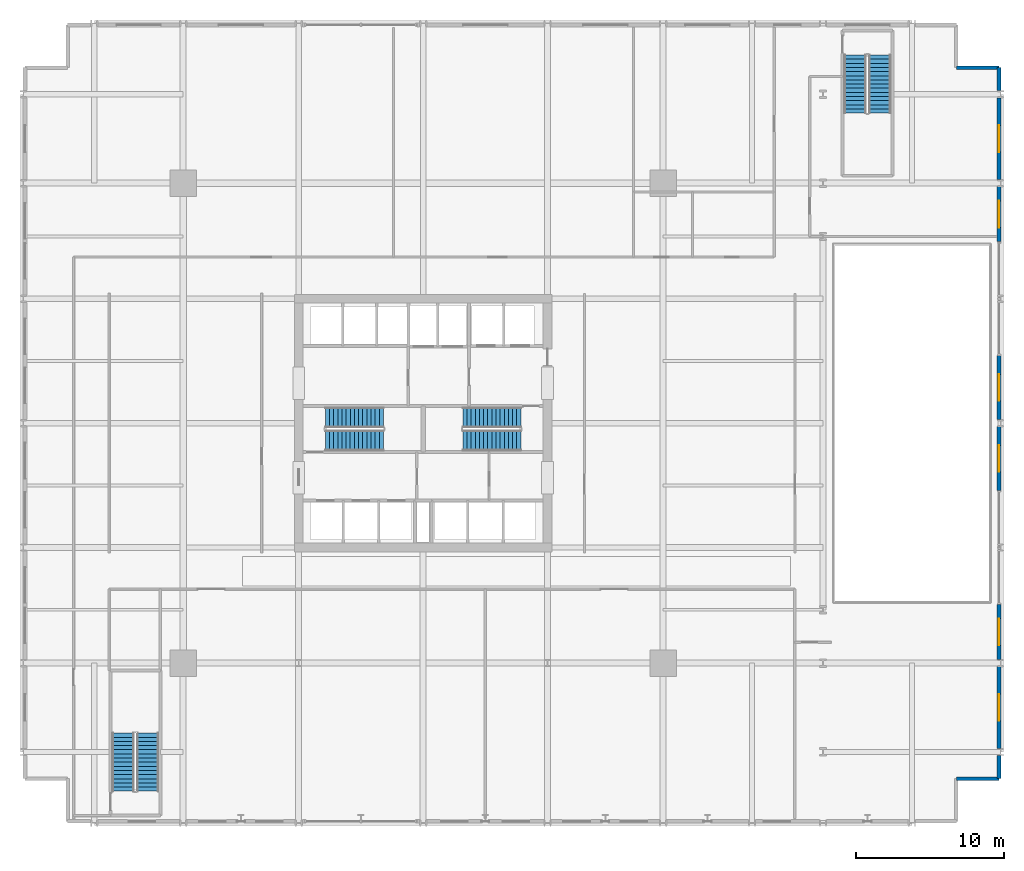
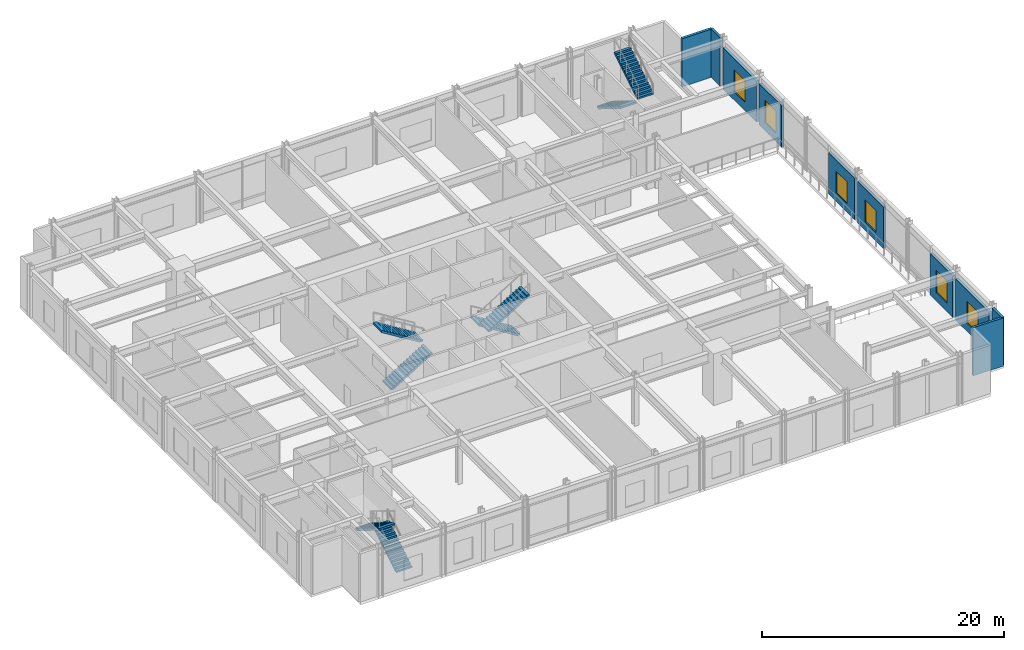
# One storey, part 14 of 20: 10 walls, 8 stair flights, 6 windows, 6 openings, 4 elements without a shape of their own.
"""IFC4 building model written with IfcOpenShell, lengths in metres."""

from ifc_helpers import new_model, si_unit, direction, frame, frame_2d, origin, place, context, subcontext, project, spatial, polyline, rectangle, outline, extrude, material, layer, layer_set, type_object, element, fill, aggregate, save


model = new_model("IFC4")

# Units and contexts
model_context = context("Model", 3, precision=1e-05, world=origin(), true_north=direction((0.0, 1.0)))
body_context = subcontext(model_context, "Body", "Model", "MODEL_VIEW")
ifc_project = project(units=[si_unit("LENGTHUNIT", "METRE"), si_unit("AREAUNIT", "SQUARE_METRE"), si_unit("VOLUMEUNIT", "CUBIC_METRE"), si_unit("PLANEANGLEUNIT", "RADIAN"), si_unit("MASSUNIT", "GRAM", prefix="KILO")], contexts=[model_context])

# Site, building, storey
site_placement = place(None, origin())
site = spatial("IfcSite", under=ifc_project, at=site_placement, CompositionType="ELEMENT")
building_placement = place(site_placement, origin())
building = spatial("IfcBuilding", under=site, at=building_placement, Name="Drelvath Grand Hotel", CompositionType="ELEMENT")
storey_placement = place(building_placement, frame((0.0, 0.0, 5.60009765625)))
storey = spatial("IfcBuildingStorey", under=building, at=storey_placement, Name="L01", CompositionType="ELEMENT", Elevation=5.60009765625)

# Wall
ifc_material_1 = material(Name="Insulated Granite Rainscreen Assembly", Category="masonry")
ifc_layer = layer(ifc_material_1, 0.239990234375)
ifc_layer_set = layer_set([ifc_layer], Name="Insulated Granite Rainscreen Assembly")
wall_type = type_object("IfcWallType", Name="Podium Granite Rainscreen Exterior Wall 240", PredefinedType="STANDARD", material=ifc_layer_set)
wall_1_placement = place(storey_placement, frame((38.8798828125, 4.55908203125, 0.0), z_axis=(0.0, 0.0, 1.0), x_axis=(0.0, -1.0, 0.0)))
element("IfcWall", 1, at=wall_1_placement, inside=storey, type_object=wall_type, Name="L01 East Podium Granite Wall 1", PredefinedType="STANDARD", context=body_context, shape_type="SweptSolid", body=[
    extrude(rectangle(XDim=1.55908203125, YDim=0.239990234375, at=frame_2d((0.779541015625, 0.0))), origin(), (0.0, 0.0, 1.0), 4.849853515625),
])

# Wall, opening, window
wall_2_placement = place(storey_placement, frame((38.8798828125, 10.55908203125, 0.0), z_axis=(0.0, 0.0, 1.0), x_axis=(0.0, -1.0, 0.0)))
wall_2 = element("IfcWall", 2, at=wall_2_placement, inside=storey, type_object=wall_type, Name="L01 East Podium Granite Wall 2", PredefinedType="STANDARD", context=body_context, shape_type="SweptSolid", body=[
    extrude(rectangle(XDim=5.51806640625, YDim=0.239990234375, at=frame_2d((2.759033203125, 0.0))), origin(), (0.0, 0.0, 1.0), 4.154296875),
])
opening_1_placement = place(wall_2_placement, frame((1.859130859375, 0.0, 0.85009765625)))
opening_1 = element("IfcOpeningElement", 3, at=opening_1_placement, cuts=wall_2, Name="Opening W-02", PredefinedType="OPENING", context=body_context, shape_type="SweptSolid", body=[
    extrude(rectangle(XDim=1.800048828125, YDim=2.199951171875, at=frame_2d((0.89990234375, 1.10009765625))), frame((0.0, 0.1298828125, 0.0), z_axis=(0.0, -1.0, 0.0), x_axis=(1.0, 0.0, 0.0)), (0.0, 0.0, 1.0), 0.260009765625),
])
ifc_material_2 = material(Name="Bronze Anodised Low-E Triple Glazing", Category="glass")
window_type = type_object("IfcWindowType", Name="Chicago Double-Pane Podium Window 1800x2400", PartitioningType="DOUBLE_PANEL_VERTICAL", PredefinedType="WINDOW", material=ifc_material_2)
window_1_placement = place(opening_1_placement, origin())
window_1 = element("IfcWindow", 4, at=window_1_placement, inside=storey, type_object=window_type, Name="L01 East Podium Window 2", OverallHeight=2.199951171875, OverallWidth=1.800048828125, PartitioningType="SINGLE_PANEL", PredefinedType="WINDOW", context=body_context, shape_type="SweptSolid", body=[
    extrude(rectangle(XDim=1.800048828125, YDim=2.199951171875, at=frame_2d((0.89990234375, 1.10009765625))), frame((0.0, 0.030029296875, 0.0), z_axis=(0.0, -1.0, 0.0), x_axis=(1.0, 0.0, 0.0)), (0.0, 0.0, 1.0), 0.06005859375),
])
fill(opening_1, window_1)

wall_3_placement = place(storey_placement, frame((38.8798828125, 14.75, 0.0), z_axis=(0.0, 0.0, 1.0), x_axis=(0.0, -1.0, 0.0)))
wall_3 = element("IfcWall", 5, at=wall_3_placement, inside=storey, type_object=wall_type, Name="L01 East Podium Granite Wall 3", PredefinedType="STANDARD", context=body_context, shape_type="SweptSolid", body=[
    extrude(rectangle(XDim=3.708984375, YDim=0.239990234375, at=frame_2d((1.8544921875, 0.0))), origin(), (0.0, 0.0, 1.0), 4.154296875),
])
opening_2_placement = place(wall_3_placement, frame((0.95458984375, 0.0, 0.85009765625)))
opening_2 = element("IfcOpeningElement", 6, at=opening_2_placement, cuts=wall_3, Name="Opening W-02", PredefinedType="OPENING", context=body_context, shape_type="SweptSolid", body=[
    extrude(rectangle(XDim=1.800048828125, YDim=2.199951171875, at=frame_2d((0.89990234375, 1.10009765625))), frame((0.0, 0.1298828125, 0.0), z_axis=(0.0, -1.0, 0.0), x_axis=(1.0, 0.0, 0.0)), (0.0, 0.0, 1.0), 0.260009765625),
])
window_2_placement = place(opening_2_placement, origin())
window_2 = element("IfcWindow", 7, at=window_2_placement, inside=storey, type_object=window_type, Name="L01 East Podium Window 3", OverallHeight=2.199951171875, OverallWidth=1.800048828125, PartitioningType="SINGLE_PANEL", PredefinedType="WINDOW", context=body_context, shape_type="SweptSolid", body=[
    extrude(rectangle(XDim=1.800048828125, YDim=2.199951171875, at=frame_2d((0.89990234375, 1.10009765625))), frame((0.0, 0.030029296875, 0.0), z_axis=(0.0, -1.0, 0.0), x_axis=(1.0, 0.0, 0.0)), (0.0, 0.0, 1.0), 0.06005859375),
])
fill(opening_2, window_2)

wall_4_placement = place(storey_placement, frame((38.8798828125, 26.759033203125, 0.0), z_axis=(0.0, 0.0, 1.0), x_axis=(0.0, -1.0, 0.0)))
wall_4 = element("IfcWall", 8, at=wall_4_placement, inside=storey, type_object=wall_type, Name="L01 East Podium Granite Wall 4", PredefinedType="STANDARD", context=body_context, shape_type="SweptSolid", body=[
    extrude(rectangle(XDim=4.30908203125, YDim=0.239990234375, at=frame_2d((2.154541015625, 0.0))), origin(), (0.0, 0.0, 1.0), 4.154296875),
])
opening_3_placement = place(wall_4_placement, frame((1.254638671875, 0.0, 0.85009765625)))
opening_3 = element("IfcOpeningElement", 9, at=opening_3_placement, cuts=wall_4, Name="Opening W-02", PredefinedType="OPENING", context=body_context, shape_type="SweptSolid", body=[
    extrude(rectangle(XDim=1.800048828125, YDim=2.199951171875, at=frame_2d((0.89990234375, 1.10009765625))), frame((0.0, 0.1298828125, 0.0), z_axis=(0.0, -1.0, 0.0), x_axis=(1.0, 0.0, 0.0)), (0.0, 0.0, 1.0), 0.260009765625),
])
window_3_placement = place(opening_3_placement, origin())
window_3 = element("IfcWindow", 10, at=window_3_placement, inside=storey, type_object=window_type, Name="L01 East Podium Window 4", OverallHeight=2.199951171875, OverallWidth=1.800048828125, PartitioningType="SINGLE_PANEL", PredefinedType="WINDOW", context=body_context, shape_type="SweptSolid", body=[
    extrude(rectangle(XDim=1.800048828125, YDim=2.199951171875, at=frame_2d((0.89990234375, 1.10009765625))), frame((0.0, 0.030029296875, 0.0), z_axis=(0.0, -1.0, 0.0), x_axis=(1.0, 0.0, 0.0)), (0.0, 0.0, 1.0), 0.06005859375),
])
fill(opening_3, window_3)

wall_5_placement = place(storey_placement, frame((38.8798828125, 31.550048828125, 0.0), z_axis=(0.0, 0.0, 1.0), x_axis=(0.0, -1.0, 0.0)))
wall_5 = element("IfcWall", 11, at=wall_5_placement, inside=storey, type_object=wall_type, Name="L01 East Podium Granite Wall 5", PredefinedType="STANDARD", context=body_context, shape_type="SweptSolid", body=[
    extrude(rectangle(XDim=4.30908203125, YDim=0.239990234375, at=frame_2d((2.154541015625, 0.0))), origin(), (0.0, 0.0, 1.0), 4.154296875),
])
opening_4_placement = place(wall_5_placement, frame((1.254638671875, 0.0, 0.85009765625)))
opening_4 = element("IfcOpeningElement", 12, at=opening_4_placement, cuts=wall_5, Name="Opening W-02", PredefinedType="OPENING", context=body_context, shape_type="SweptSolid", body=[
    extrude(rectangle(XDim=1.800048828125, YDim=2.199951171875, at=frame_2d((0.89990234375, 1.10009765625))), frame((0.0, 0.1298828125, 0.0), z_axis=(0.0, -1.0, 0.0), x_axis=(1.0, 0.0, 0.0)), (0.0, 0.0, 1.0), 0.260009765625),
])
window_4_placement = place(opening_4_placement, origin())
window_4 = element("IfcWindow", 13, at=window_4_placement, inside=storey, type_object=window_type, Name="L01 East Podium Window 5", OverallHeight=2.199951171875, OverallWidth=1.800048828125, PartitioningType="SINGLE_PANEL", PredefinedType="WINDOW", context=body_context, shape_type="SweptSolid", body=[
    extrude(rectangle(XDim=1.800048828125, YDim=2.199951171875, at=frame_2d((0.89990234375, 1.10009765625))), frame((0.0, 0.030029296875, 0.0), z_axis=(0.0, -1.0, 0.0), x_axis=(1.0, 0.0, 0.0)), (0.0, 0.0, 1.0), 0.06005859375),
])
fill(opening_4, window_4)

wall_6_placement = place(storey_placement, frame((38.8798828125, 42.958984375, 0.0), z_axis=(0.0, 0.0, 1.0), x_axis=(0.0, -1.0, 0.0)))
wall_6 = element("IfcWall", 14, at=wall_6_placement, inside=storey, type_object=wall_type, Name="L01 East Podium Granite Wall 6", PredefinedType="STANDARD", context=body_context, shape_type="SweptSolid", body=[
    extrude(rectangle(XDim=3.708984375, YDim=0.239990234375, at=frame_2d((1.8544921875, 0.0))), origin(), (0.0, 0.0, 1.0), 4.154296875),
])
opening_5_placement = place(wall_6_placement, frame((0.95458984375, 0.0, 0.85009765625)))
opening_5 = element("IfcOpeningElement", 15, at=opening_5_placement, cuts=wall_6, Name="Opening W-02", PredefinedType="OPENING", context=body_context, shape_type="SweptSolid", body=[
    extrude(rectangle(XDim=1.800048828125, YDim=2.199951171875, at=frame_2d((0.89990234375, 1.10009765625))), frame((0.0, 0.1298828125, 0.0), z_axis=(0.0, -1.0, 0.0), x_axis=(1.0, 0.0, 0.0)), (0.0, 0.0, 1.0), 0.260009765625),
])
window_5_placement = place(opening_5_placement, origin())
window_5 = element("IfcWindow", 16, at=window_5_placement, inside=storey, type_object=window_type, Name="L01 East Podium Window 6", OverallHeight=2.199951171875, OverallWidth=1.800048828125, PartitioningType="SINGLE_PANEL", PredefinedType="WINDOW", context=body_context, shape_type="SweptSolid", body=[
    extrude(rectangle(XDim=1.800048828125, YDim=2.199951171875, at=frame_2d((0.89990234375, 1.10009765625))), frame((0.0, 0.030029296875, 0.0), z_axis=(0.0, -1.0, 0.0), x_axis=(1.0, 0.0, 0.0)), (0.0, 0.0, 1.0), 0.06005859375),
])
fill(opening_5, window_5)

wall_7_placement = place(storey_placement, frame((38.8798828125, 48.958984375, 0.0), z_axis=(0.0, 0.0, 1.0), x_axis=(0.0, -1.0, 0.0)))
wall_7 = element("IfcWall", 17, at=wall_7_placement, inside=storey, type_object=wall_type, Name="L01 East Podium Granite Wall 7", PredefinedType="STANDARD", context=body_context, shape_type="SweptSolid", body=[
    extrude(rectangle(XDim=5.51806640625, YDim=0.239990234375, at=frame_2d((2.759033203125, 0.0))), origin(), (0.0, 0.0, 1.0), 4.154296875),
])
opening_6_placement = place(wall_7_placement, frame((1.859130859375, 0.0, 0.85009765625)))
opening_6 = element("IfcOpeningElement", 18, at=opening_6_placement, cuts=wall_7, Name="Opening W-02", PredefinedType="OPENING", context=body_context, shape_type="SweptSolid", body=[
    extrude(rectangle(XDim=1.800048828125, YDim=2.199951171875, at=frame_2d((0.89990234375, 1.10009765625))), frame((0.0, 0.1298828125, 0.0), z_axis=(0.0, -1.0, 0.0), x_axis=(1.0, 0.0, 0.0)), (0.0, 0.0, 1.0), 0.260009765625),
])
window_6_placement = place(opening_6_placement, origin())
window_6 = element("IfcWindow", 19, at=window_6_placement, inside=storey, type_object=window_type, Name="L01 East Podium Window 7", OverallHeight=2.199951171875, OverallWidth=1.800048828125, PartitioningType="SINGLE_PANEL", PredefinedType="WINDOW", context=body_context, shape_type="SweptSolid", body=[
    extrude(rectangle(XDim=1.800048828125, YDim=2.199951171875, at=frame_2d((0.89990234375, 1.10009765625))), frame((0.0, 0.030029296875, 0.0), z_axis=(0.0, -1.0, 0.0), x_axis=(1.0, 0.0, 0.0)), (0.0, 0.0, 1.0), 0.06005859375),
])
fill(opening_6, window_6)

# Walls
wall_8_placement = place(storey_placement, frame((38.8798828125, 51.0, 0.0), z_axis=(0.0, 0.0, 1.0), x_axis=(0.0, -1.0, 0.0)))
element("IfcWall", 20, at=wall_8_placement, inside=storey, type_object=wall_type, Name="L01 East Podium Granite Wall 8", PredefinedType="STANDARD", context=body_context, shape_type="SweptSolid", body=[
    extrude(rectangle(XDim=1.55908203125, YDim=0.239990234375, at=frame_2d((0.779541015625, 0.0))), origin(), (0.0, 0.0, 1.0), 4.849853515625),
])
for number, where, z_axis, x_axis, name in (
    (21, (36.0, 51.0, 0.0), (0.0, 0.0, 1.0), (1.0, 0.0, 0.0), "L01 Podium Corner Return Wall CNE2"),
    (22, (38.8798828125, 3.0, 0.0), (0.0, 0.0, 1.0), (-1.0, 0.0, 0.0), "L01 Podium Corner Return Wall CSE1"),
):
    element("IfcWall", number, at=place(storey_placement, frame(where, z_axis=z_axis, x_axis=x_axis)), inside=storey, type_object=wall_type, Name=name, PredefinedType="STANDARD", context=body_context, shape_type="SweptSolid", body=[
        extrude(rectangle(XDim=2.8798828125, YDim=0.239990234375, at=frame_2d((1.43994140625, 0.0))), origin(), (0.0, 0.0, 1.0), 4.849853515625),
    ])

# Stair, stair flights
ifc_material_3 = material(Name="Concrete C40/50", Category="concrete")
stair_type_1 = type_object("IfcStairType", Name="Dogleg Exit Stair W1400-R173.3", PredefinedType="HALF_TURN_STAIR", material=ifc_material_3)
stair_1_placement = place(storey_placement, origin())
stair_1 = element("IfcStair", 23, at=stair_1_placement, inside=storey, type_object=stair_type_1, Name="L01 Core Exit Stair ST-1", PredefinedType="HALF_TURN_STAIR")
stair_flight_type_1 = type_object("IfcStairFlightType", Name="Concrete Stair Flight W1400-R173.3", PredefinedType="STRAIGHT", material=ifc_material_3)
stair_flight_1_placement = place(storey_placement, frame((-6.60009765625, 25.820068359375, 0.0), z_axis=(0.0, 0.0, 1.0), x_axis=(1.0, 0.0, 0.0)))
stair_flight_1 = element("IfcStairFlight", 24, at=stair_flight_1_placement, type_object=stair_flight_type_1, Name="ST-1 flight 1", NumberOfRisers=15, NumberOfTreads=14, PredefinedType="STRAIGHT", RiserHeight=0.173333333, TreadLength=0.28, context=body_context, shape_type="SweptSolid", body=[
    extrude(outline(polyline([(0.0, 0.0), (0.0, 0.17333984375), (0.280029296875, 0.17333984375), (0.280029296875, 0.3466796875), (0.56005859375, 0.3466796875), (0.56005859375, 0.52001953125), (0.840087890625, 0.52001953125), (0.840087890625, 0.693359375), (1.1201171875, 0.693359375), (1.1201171875, 0.86669921875), (1.39990234375, 0.86669921875), (1.39990234375, 1.0400390625), (1.679931640625, 1.0400390625), (1.679931640625, 1.21337890625), (1.9599609375, 1.21337890625), (1.9599609375, 1.38671875), (2.239990234375, 1.38671875), (2.239990234375, 1.56005859375), (2.52001953125, 1.56005859375), (2.52001953125, 1.7333984375), (2.800048828125, 1.7333984375), (2.800048828125, 1.90673828125), (3.080078125, 1.90673828125), (3.080078125, 2.080078125), (3.360107421875, 2.080078125), (3.360107421875, 2.25341796875), (3.639892578125, 2.25341796875), (3.639892578125, 2.4267578125), (3.919921875, 2.4267578125), (3.919921875, 2.60009765625), (3.919921875, 2.238525390625), (0.3037109375, 0.0), (0.0, 0.0)])), frame((0.0, 0.699951171875, 0.0), z_axis=(0.0, -1.0, 0.0), x_axis=(1.0, 0.0, 0.0)), (0.0, 0.0, 1.0), 1.39990234375),
])
stair_flight_2_placement = place(storey_placement, frame((-2.679931640625, 27.3798828125, 2.599853515625), z_axis=(0.0, 0.0, 1.0), x_axis=(-1.0, 0.0, 0.0)))
stair_flight_2 = element("IfcStairFlight", 25, at=stair_flight_2_placement, type_object=stair_flight_type_1, Name="ST-1 flight 2", NumberOfRisers=15, NumberOfTreads=14, PredefinedType="STRAIGHT", RiserHeight=0.173333333, TreadLength=0.28, context=body_context, shape_type="SweptSolid", body=[
    extrude(outline(polyline([(0.0, 0.0), (0.0, 0.17333984375), (0.280029296875, 0.17333984375), (0.280029296875, 0.3466796875), (0.56005859375, 0.3466796875), (0.56005859375, 0.52001953125), (0.840087890625, 0.52001953125), (0.840087890625, 0.693359375), (1.1201171875, 0.693359375), (1.1201171875, 0.86669921875), (1.39990234375, 0.86669921875), (1.39990234375, 1.0400390625), (1.679931640625, 1.0400390625), (1.679931640625, 1.21337890625), (1.9599609375, 1.21337890625), (1.9599609375, 1.38671875), (2.239990234375, 1.38671875), (2.239990234375, 1.56005859375), (2.52001953125, 1.56005859375), (2.52001953125, 1.7333984375), (2.800048828125, 1.7333984375), (2.800048828125, 1.90673828125), (3.080078125, 1.90673828125), (3.080078125, 2.080078125), (3.360107421875, 2.080078125), (3.360107421875, 2.25341796875), (3.639892578125, 2.25341796875), (3.639892578125, 2.4267578125), (3.919921875, 2.4267578125), (3.919921875, 2.60009765625), (3.919921875, 2.238525390625), (0.3037109375, 0.0), (0.0, 0.0)])), frame((0.0, 0.699951171875, 0.0), z_axis=(0.0, -1.0, 0.0), x_axis=(1.0, 0.0, 0.0)), (0.0, 0.0, 1.0), 1.39990234375),
])
aggregate(stair_1, [stair_flight_1, stair_flight_2])

stair_2_placement = place(storey_placement, origin())
stair_2 = element("IfcStair", 26, at=stair_2_placement, inside=storey, type_object=stair_type_1, Name="L01 Core Exit Stair ST-2", PredefinedType="HALF_TURN_STAIR")
stair_flight_3_placement = place(storey_placement, frame((6.60009765625, 27.3798828125, 0.0), z_axis=(0.0, 0.0, 1.0), x_axis=(-1.0, 0.0, 0.0)))
stair_flight_3 = element("IfcStairFlight", 27, at=stair_flight_3_placement, type_object=stair_flight_type_1, Name="ST-2 flight 1", NumberOfRisers=15, NumberOfTreads=14, PredefinedType="STRAIGHT", RiserHeight=0.173333333, TreadLength=0.28, context=body_context, shape_type="SweptSolid", body=[
    extrude(outline(polyline([(0.0, 0.0), (0.0, 0.17333984375), (0.280029296875, 0.17333984375), (0.280029296875, 0.3466796875), (0.56005859375, 0.3466796875), (0.56005859375, 0.52001953125), (0.840087890625, 0.52001953125), (0.840087890625, 0.693359375), (1.1201171875, 0.693359375), (1.1201171875, 0.86669921875), (1.39990234375, 0.86669921875), (1.39990234375, 1.0400390625), (1.679931640625, 1.0400390625), (1.679931640625, 1.21337890625), (1.9599609375, 1.21337890625), (1.9599609375, 1.38671875), (2.239990234375, 1.38671875), (2.239990234375, 1.56005859375), (2.52001953125, 1.56005859375), (2.52001953125, 1.7333984375), (2.800048828125, 1.7333984375), (2.800048828125, 1.90673828125), (3.080078125, 1.90673828125), (3.080078125, 2.080078125), (3.360107421875, 2.080078125), (3.360107421875, 2.25341796875), (3.639892578125, 2.25341796875), (3.639892578125, 2.4267578125), (3.919921875, 2.4267578125), (3.919921875, 2.60009765625), (3.919921875, 2.238525390625), (0.3037109375, 0.0), (0.0, 0.0)])), frame((0.0, 0.699951171875, 0.0), z_axis=(0.0, -1.0, 0.0), x_axis=(1.0, 0.0, 0.0)), (0.0, 0.0, 1.0), 1.39990234375),
])
stair_flight_4_placement = place(storey_placement, frame((2.679931640625, 25.820068359375, 2.599853515625), z_axis=(0.0, 0.0, 1.0), x_axis=(1.0, 0.0, 0.0)))
stair_flight_4 = element("IfcStairFlight", 28, at=stair_flight_4_placement, type_object=stair_flight_type_1, Name="ST-2 flight 2", NumberOfRisers=15, NumberOfTreads=14, PredefinedType="STRAIGHT", RiserHeight=0.173333333, TreadLength=0.28, context=body_context, shape_type="SweptSolid", body=[
    extrude(outline(polyline([(0.0, 0.0), (0.0, 0.17333984375), (0.280029296875, 0.17333984375), (0.280029296875, 0.3466796875), (0.56005859375, 0.3466796875), (0.56005859375, 0.52001953125), (0.840087890625, 0.52001953125), (0.840087890625, 0.693359375), (1.1201171875, 0.693359375), (1.1201171875, 0.86669921875), (1.39990234375, 0.86669921875), (1.39990234375, 1.0400390625), (1.679931640625, 1.0400390625), (1.679931640625, 1.21337890625), (1.9599609375, 1.21337890625), (1.9599609375, 1.38671875), (2.239990234375, 1.38671875), (2.239990234375, 1.56005859375), (2.52001953125, 1.56005859375), (2.52001953125, 1.7333984375), (2.800048828125, 1.7333984375), (2.800048828125, 1.90673828125), (3.080078125, 1.90673828125), (3.080078125, 2.080078125), (3.360107421875, 2.080078125), (3.360107421875, 2.25341796875), (3.639892578125, 2.25341796875), (3.639892578125, 2.4267578125), (3.919921875, 2.4267578125), (3.919921875, 2.60009765625), (3.919921875, 2.238525390625), (0.3037109375, 0.0), (0.0, 0.0)])), frame((0.0, 0.699951171875, 0.0), z_axis=(0.0, -1.0, 0.0), x_axis=(1.0, 0.0, 0.0)), (0.0, 0.0, 1.0), 1.39990234375),
])
aggregate(stair_2, [stair_flight_3, stair_flight_4])

stair_type_2 = type_object("IfcStairType", Name="Dogleg Exit Stair W1500-R173.3", PredefinedType="HALF_TURN_STAIR", material=ifc_material_3)
stair_3_placement = place(storey_placement, origin())
stair_3 = element("IfcStair", 29, at=stair_3_placement, inside=storey, type_object=stair_type_2, Name="L01 Podium Exit Stair ST-3", PredefinedType="HALF_TURN_STAIR")
stair_flight_type_2 = type_object("IfcStairFlightType", Name="Concrete Stair Flight W1500-R173.3", PredefinedType="STRAIGHT", material=ifc_material_3)
stair_flight_5_placement = place(storey_placement, frame((-18.590087890625, 2.14990234375, 0.0), z_axis=(0.0, 0.0, 1.0), x_axis=(0.0, 1.0, 0.0)))
stair_flight_5 = element("IfcStairFlight", 30, at=stair_flight_5_placement, type_object=stair_flight_type_2, Name="ST-3 flight 1", NumberOfRisers=15, NumberOfTreads=14, PredefinedType="STRAIGHT", RiserHeight=0.173333333, TreadLength=0.28, context=body_context, shape_type="SweptSolid", body=[
    extrude(outline(polyline([(0.0, 0.0), (0.0, 0.17333984375), (0.280029296875, 0.17333984375), (0.280029296875, 0.3466796875), (0.56005859375, 0.3466796875), (0.56005859375, 0.52001953125), (0.840087890625, 0.52001953125), (0.840087890625, 0.693359375), (1.1201171875, 0.693359375), (1.1201171875, 0.86669921875), (1.39990234375, 0.86669921875), (1.39990234375, 1.0400390625), (1.679931640625, 1.0400390625), (1.679931640625, 1.21337890625), (1.9599609375, 1.21337890625), (1.9599609375, 1.38671875), (2.239990234375, 1.38671875), (2.239990234375, 1.56005859375), (2.52001953125, 1.56005859375), (2.52001953125, 1.7333984375), (2.800048828125, 1.7333984375), (2.800048828125, 1.90673828125), (3.080078125, 1.90673828125), (3.080078125, 2.080078125), (3.360107421875, 2.080078125), (3.360107421875, 2.25341796875), (3.639892578125, 2.25341796875), (3.639892578125, 2.4267578125), (3.919921875, 2.4267578125), (3.919921875, 2.60009765625), (3.919921875, 2.238525390625), (0.3037109375, 0.0), (0.0, 0.0)])), frame((0.0, 0.75, 0.0), z_axis=(0.0, -1.0, 0.0), x_axis=(1.0, 0.0, 0.0)), (0.0, 0.0, 1.0), 1.5),
])
stair_flight_6_placement = place(storey_placement, frame((-20.25, 6.070068359375, 2.599853515625), z_axis=(0.0, 0.0, 1.0), x_axis=(0.0, -1.0, 0.0)))
stair_flight_6 = element("IfcStairFlight", 31, at=stair_flight_6_placement, type_object=stair_flight_type_2, Name="ST-3 flight 2", NumberOfRisers=15, NumberOfTreads=14, PredefinedType="STRAIGHT", RiserHeight=0.173333333, TreadLength=0.28, context=body_context, shape_type="SweptSolid", body=[
    extrude(outline(polyline([(0.0, 0.0), (0.0, 0.17333984375), (0.280029296875, 0.17333984375), (0.280029296875, 0.3466796875), (0.56005859375, 0.3466796875), (0.56005859375, 0.52001953125), (0.840087890625, 0.52001953125), (0.840087890625, 0.693359375), (1.1201171875, 0.693359375), (1.1201171875, 0.86669921875), (1.39990234375, 0.86669921875), (1.39990234375, 1.0400390625), (1.679931640625, 1.0400390625), (1.679931640625, 1.21337890625), (1.9599609375, 1.21337890625), (1.9599609375, 1.38671875), (2.239990234375, 1.38671875), (2.239990234375, 1.56005859375), (2.52001953125, 1.56005859375), (2.52001953125, 1.7333984375), (2.800048828125, 1.7333984375), (2.800048828125, 1.90673828125), (3.080078125, 1.90673828125), (3.080078125, 2.080078125), (3.360107421875, 2.080078125), (3.360107421875, 2.25341796875), (3.639892578125, 2.25341796875), (3.639892578125, 2.4267578125), (3.919921875, 2.4267578125), (3.919921875, 2.60009765625), (3.919921875, 2.238525390625), (0.3037109375, 0.0), (0.0, 0.0)])), frame((0.0, 0.75, 0.0), z_axis=(0.0, -1.0, 0.0), x_axis=(1.0, 0.0, 0.0)), (0.0, 0.0, 1.0), 1.5),
])
aggregate(stair_3, [stair_flight_5, stair_flight_6])

stair_4_placement = place(storey_placement, origin())
stair_4 = element("IfcStair", 32, at=stair_4_placement, inside=storey, type_object=stair_type_2, Name="L01 Podium Exit Stair ST-4", PredefinedType="HALF_TURN_STAIR")
stair_flight_7_placement = place(storey_placement, frame((29.169921875, 51.85009765625, 0.0), z_axis=(0.0, 0.0, 1.0), x_axis=(0.0, -1.0, 0.0)))
stair_flight_7 = element("IfcStairFlight", 33, at=stair_flight_7_placement, type_object=stair_flight_type_2, Name="ST-4 flight 1", NumberOfRisers=15, NumberOfTreads=14, PredefinedType="STRAIGHT", RiserHeight=0.173333333, TreadLength=0.28, context=body_context, shape_type="SweptSolid", body=[
    extrude(outline(polyline([(0.0, 0.0), (0.0, 0.17333984375), (0.280029296875, 0.17333984375), (0.280029296875, 0.3466796875), (0.56005859375, 0.3466796875), (0.56005859375, 0.52001953125), (0.840087890625, 0.52001953125), (0.840087890625, 0.693359375), (1.1201171875, 0.693359375), (1.1201171875, 0.86669921875), (1.39990234375, 0.86669921875), (1.39990234375, 1.0400390625), (1.679931640625, 1.0400390625), (1.679931640625, 1.21337890625), (1.9599609375, 1.21337890625), (1.9599609375, 1.38671875), (2.239990234375, 1.38671875), (2.239990234375, 1.56005859375), (2.52001953125, 1.56005859375), (2.52001953125, 1.7333984375), (2.800048828125, 1.7333984375), (2.800048828125, 1.90673828125), (3.080078125, 1.90673828125), (3.080078125, 2.080078125), (3.360107421875, 2.080078125), (3.360107421875, 2.25341796875), (3.639892578125, 2.25341796875), (3.639892578125, 2.4267578125), (3.919921875, 2.4267578125), (3.919921875, 2.60009765625), (3.919921875, 2.238525390625), (0.3037109375, 0.0), (0.0, 0.0)])), frame((0.0, 0.75, 0.0), z_axis=(0.0, -1.0, 0.0), x_axis=(1.0, 0.0, 0.0)), (0.0, 0.0, 1.0), 1.5),
])
stair_flight_8_placement = place(storey_placement, frame((30.830078125, 47.929931640625, 2.599853515625), z_axis=(0.0, 0.0, 1.0), x_axis=(0.0, 1.0, 0.0)))
stair_flight_8 = element("IfcStairFlight", 34, at=stair_flight_8_placement, type_object=stair_flight_type_2, Name="ST-4 flight 2", NumberOfRisers=15, NumberOfTreads=14, PredefinedType="STRAIGHT", RiserHeight=0.173333333, TreadLength=0.28, context=body_context, shape_type="SweptSolid", body=[
    extrude(outline(polyline([(0.0, 0.0), (0.0, 0.17333984375), (0.280029296875, 0.17333984375), (0.280029296875, 0.3466796875), (0.56005859375, 0.3466796875), (0.56005859375, 0.52001953125), (0.840087890625, 0.52001953125), (0.840087890625, 0.693359375), (1.1201171875, 0.693359375), (1.1201171875, 0.86669921875), (1.39990234375, 0.86669921875), (1.39990234375, 1.0400390625), (1.679931640625, 1.0400390625), (1.679931640625, 1.21337890625), (1.9599609375, 1.21337890625), (1.9599609375, 1.38671875), (2.239990234375, 1.38671875), (2.239990234375, 1.56005859375), (2.52001953125, 1.56005859375), (2.52001953125, 1.7333984375), (2.800048828125, 1.7333984375), (2.800048828125, 1.90673828125), (3.080078125, 1.90673828125), (3.080078125, 2.080078125), (3.360107421875, 2.080078125), (3.360107421875, 2.25341796875), (3.639892578125, 2.25341796875), (3.639892578125, 2.4267578125), (3.919921875, 2.4267578125), (3.919921875, 2.60009765625), (3.919921875, 2.238525390625), (0.3037109375, 0.0), (0.0, 0.0)])), frame((0.0, 0.75, 0.0), z_axis=(0.0, -1.0, 0.0), x_axis=(1.0, 0.0, 0.0)), (0.0, 0.0, 1.0), 1.5),
])
aggregate(stair_4, [stair_flight_7, stair_flight_8])

save(model, "model.ifc")
